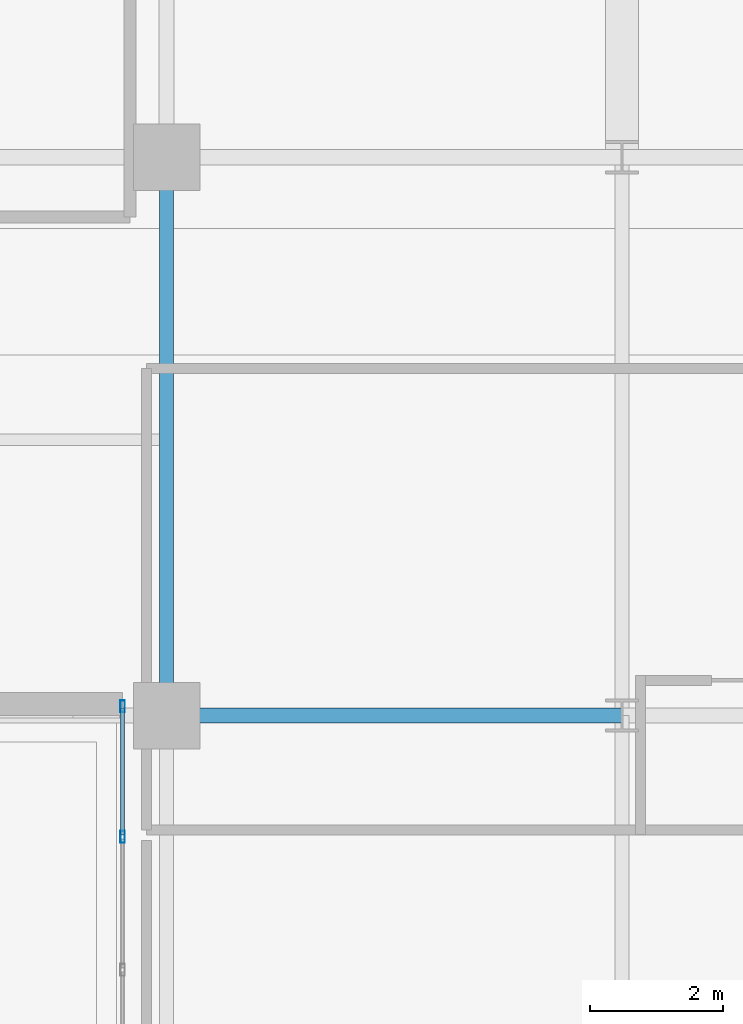
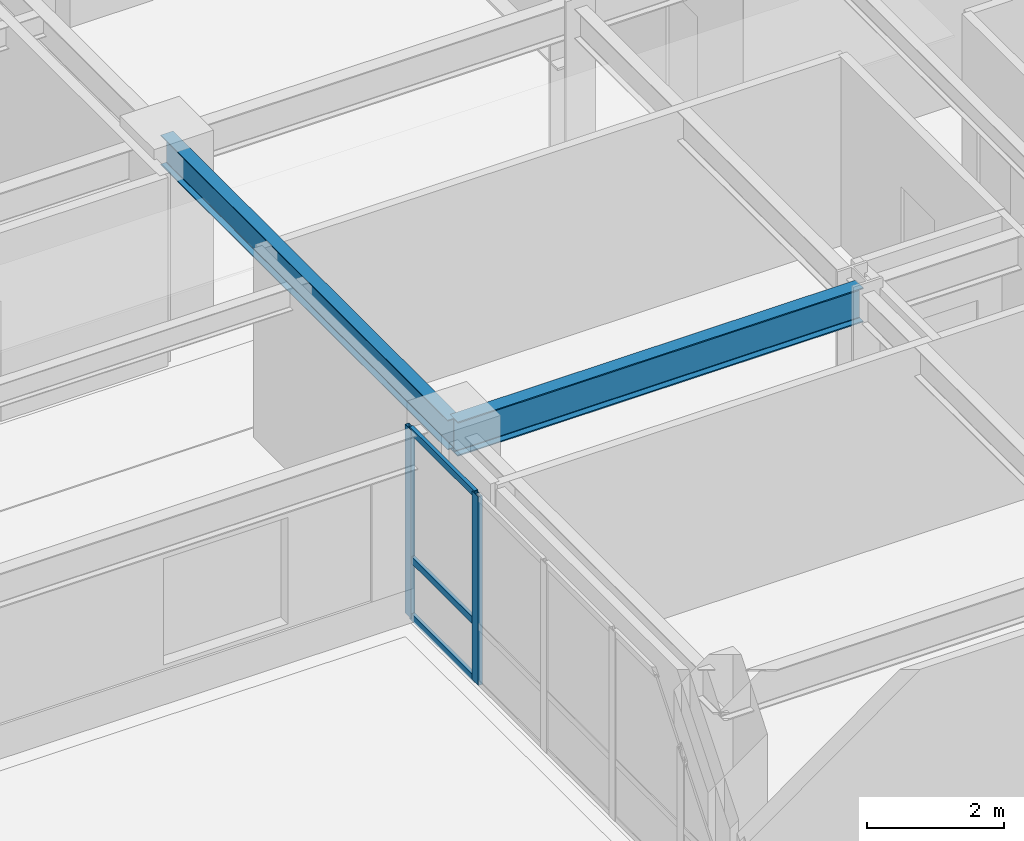
# One storey, part 10 of 25: 5 members, 2 beams, 1 element without a shape of its own.
"""IFC4 building model written with IfcOpenShell, lengths in metres."""

from ifc_helpers import new_model, si_unit, direction, frame, origin, origin_2d, place, context, subcontext, project, spatial, hollow_rectangle, i_section, extrude, source, transform, mapped, material, layer, layer_set, material_profile, profile_set, type_object, type_shapes, element, aggregate, save


model = new_model("IFC4")

# Units and contexts
model_context = context("Model", 3, precision=1e-05, world=origin(), true_north=direction((0.0, 1.0)))
body_context = subcontext(model_context, "Body", "Model", "MODEL_VIEW")
ifc_project = project(units=[si_unit("LENGTHUNIT", "METRE"), si_unit("AREAUNIT", "SQUARE_METRE"), si_unit("VOLUMEUNIT", "CUBIC_METRE"), si_unit("PLANEANGLEUNIT", "RADIAN"), si_unit("MASSUNIT", "GRAM", prefix="KILO")], contexts=[model_context])

# Site, building, storey
site_placement = place(None, origin())
site = spatial("IfcSite", under=ifc_project, at=site_placement, CompositionType="ELEMENT")
building_placement = place(site_placement, origin())
building = spatial("IfcBuilding", under=site, at=building_placement, Name="Tolvann Quenvar Hotel", CompositionType="ELEMENT")
storey_placement = place(building_placement, frame((0.0, 0.0, 32.0)))
storey = spatial("IfcBuildingStorey", under=building, at=storey_placement, Name="L06", CompositionType="ELEMENT", Elevation=32.0)

# Beams
ifc_material_1 = material(Name="Steel Grade 350", Category="steel")
ifc_material_profile_1 = material_profile(ifc_material_1, i_section(OverallWidth=0.22900390625, OverallDepth=0.612060546875, WebThickness=0.011962890625, FlangeThickness=0.01953125, FilletRadius=0.013916015625, at=origin_2d()), Name="610UB125")
ifc_profile_set_1 = profile_set([ifc_material_profile_1], Name="Steel Grade 350")
beam_type_1 = type_object("IfcBeamType", Name="BM_GIRD_610UB125", PredefinedType="BEAM", material=ifc_profile_set_1)
shared_shape_1 = source(origin(), body_context, "Body", "SweptSolid", [
    extrude(i_section(OverallWidth=0.22900390625, OverallDepth=0.612060546875, WebThickness=0.011962890625, FlangeThickness=0.01953125, FilletRadius=0.013916015625, at=origin_2d()), origin(), (0.0, 0.0, 1.0), 6.85009765625),
])
type_shapes(beam_type_1, [shared_shape_1])
beam_1_placement = place(storey_placement, frame((34.949951171875, 16.0, 3.06396484375), z_axis=(1.0, 0.0, 0.0), x_axis=(0.0, 1.0, 0.0)))
element("IfcBeam", 1, at=beam_1_placement, inside=storey, type_object=beam_type_1, Name="BM-L06-EW-4-F4-H4", PredefinedType="BEAM", context=body_context, shape_type="MappedRepresentation", body=[
    mapped(shared_shape_1, transform((0.0, 0.0, 0.0), x_axis=(1.0, 0.0, 0.0), y_axis=(0.0, 1.0, 0.0), z_axis=(0.0, 0.0, 1.0), scale=1.0)),
])
ifc_material_profile_2 = material_profile(ifc_material_1, i_section(OverallWidth=0.208984375, OverallDepth=0.532958984375, WebThickness=0.01025390625, FlangeThickness=0.015625, FilletRadius=0.013916015625, at=origin_2d()), Name="530UB92")
ifc_profile_set_2 = profile_set([ifc_material_profile_2], Name="Steel Grade 350")
beam_type_2 = type_object("IfcBeamType", Name="BM_GIRD_530UB92", PredefinedType="BEAM", material=ifc_profile_set_2)
shared_shape_2 = source(origin(), body_context, "Body", "SweptSolid", [
    extrude(i_section(OverallWidth=0.208984375, OverallDepth=0.532958984375, WebThickness=0.01025390625, FlangeThickness=0.015625, FilletRadius=0.013916015625, at=origin_2d()), origin(), (0.0, 0.0, 1.0), 8.39990234375),
])
type_shapes(beam_type_2, [shared_shape_2])
beam_2_placement = place(storey_placement, frame((34.949951171875, 16.0, 3.103515625), z_axis=(0.0, 1.0, 0.0), x_axis=(-1.0, 0.0, 0.0)))
element("IfcBeam", 2, at=beam_2_placement, inside=storey, type_object=beam_type_2, Name="BM-L06-NS-F4-F5", PredefinedType="BEAM", context=body_context, shape_type="MappedRepresentation", body=[
    mapped(shared_shape_2, transform((0.0, 0.0, 0.0), x_axis=(1.0, 0.0, 0.0), y_axis=(0.0, 1.0, 0.0), z_axis=(0.0, 0.0, 1.0), scale=1.0)),
])

# Curtain wall, members
ifc_material_2 = material(Name="Thermally broken anodised architectural aluminium 6063-T6 and laminated low-E glass", Category="aluminium")
ifc_layer = layer(ifc_material_2, 0.179931640625)
ifc_layer_set = layer_set([ifc_layer], Name="Thermally broken anodised architectural aluminium 6063-T6 and laminated low-E glass")
curtain_wall_type = type_object("IfcCurtainWallType", Name="CW_SYS_SLOT_03", PredefinedType="USERDEFINED", material=ifc_layer_set)
curtain_wall_placement = place(storey_placement, origin())
curtain_wall = element("IfcCurtainWall", 3, at=curtain_wall_placement, inside=storey, type_object=curtain_wall_type, Name="Curtain Wall CW-SLOT-03 (CWR-L06-E07)", ObjectType="UNITISED CURTAIN WALL", PredefinedType="USERDEFINED")
ifc_material_3 = material(Name="Anodised architectural aluminium 6063-T6 framing", Category="aluminium")
ifc_material_profile_3 = material_profile(ifc_material_3, hollow_rectangle(XDim=0.070068359375, YDim=0.179931640625, WallThickness=0.00390625, at=origin_2d()), Name="180x70x4RHS")
ifc_profile_set_3 = profile_set([ifc_material_profile_3], Name="Anodised architectural aluminium 6063-T6 framing")
member_type_1 = type_object("IfcMemberType", Name="CW_MULL_180x70", PredefinedType="MULLION", material=ifc_profile_set_3)
shared_shape_3 = source(origin(), body_context, "Body", "SweptSolid", [
    extrude(hollow_rectangle(XDim=0.070068359375, YDim=0.179931640625, WallThickness=0.00390625, at=origin_2d()), origin(), (0.0, 0.0, 1.0), 3.3701171875),
])
type_shapes(member_type_1, [shared_shape_3])
member_1_placement = place(storey_placement, frame((34.2900390625, 16.139892578125, 0.0), z_axis=(0.0, 0.0, 1.0), x_axis=(1.0, 0.0, 0.0)))
member_1 = element("IfcMember", 4, at=member_1_placement, type_object=member_type_1, Name="CW-SLOT-03 mullion 1", PredefinedType="MULLION", context=body_context, shape_type="MappedRepresentation", body=[
    mapped(shared_shape_3, transform((0.0, 0.0, 0.0), x_axis=(1.0, 0.0, 0.0), y_axis=(0.0, 1.0, 0.0), z_axis=(0.0, 0.0, 1.0), scale=1.0)),
])
member_2_placement = place(storey_placement, frame((34.2900390625, 14.175048828125, 0.0), z_axis=(0.0, 0.0, 1.0), x_axis=(1.0, 0.0, 0.0)))
member_2 = element("IfcMember", 5, at=member_2_placement, type_object=member_type_1, Name="CW-SLOT-03 mullion 2", PredefinedType="MULLION", context=body_context, shape_type="MappedRepresentation", body=[
    mapped(shared_shape_3, transform((0.0, 0.0, 0.0), x_axis=(1.0, 0.0, 0.0), y_axis=(0.0, 1.0, 0.0), z_axis=(0.0, 0.0, 1.0), scale=1.0)),
])
ifc_material_profile_4 = material_profile(ifc_material_3, hollow_rectangle(XDim=0.06005859375, YDim=0.1201171875, WallThickness=0.00341796875, at=origin_2d()), Name="120x60x3.5RHS")
ifc_profile_set_4 = profile_set([ifc_material_profile_4], Name="Anodised architectural aluminium 6063-T6 framing")
member_type_2 = type_object("IfcMemberType", Name="CW_TRAN_120x60", PredefinedType="USERDEFINED", material=ifc_profile_set_4)
shared_shape_4 = source(origin(), body_context, "Body", "SweptSolid", [
    extrude(hollow_rectangle(XDim=0.06005859375, YDim=0.1201171875, WallThickness=0.00341796875, at=origin_2d()), origin(), (0.0, 0.0, 1.0), 1.89501953125),
])
type_shapes(member_type_2, [shared_shape_4])
member_3_placement = place(storey_placement, frame((34.2900390625, 16.10498046875, 0.030029296875), z_axis=(0.0, -1.0, 0.0), x_axis=(1.0, 0.0, 0.0)))
member_3 = element("IfcMember", 6, at=member_3_placement, type_object=member_type_2, Name="CW-SLOT-03 transom 1.1", ObjectType="TRANSOM", PredefinedType="USERDEFINED", context=body_context, shape_type="MappedRepresentation", body=[
    mapped(shared_shape_4, transform((0.0, 0.0, 0.0), x_axis=(1.0, 0.0, 0.0), y_axis=(0.0, 1.0, 0.0), z_axis=(0.0, 0.0, 1.0), scale=1.0)),
])
member_4_placement = place(storey_placement, frame((34.2900390625, 16.10498046875, 1.050048828125), z_axis=(0.0, -1.0, 0.0), x_axis=(1.0, 0.0, 0.0)))
member_4 = element("IfcMember", 7, at=member_4_placement, type_object=member_type_2, Name="CW-SLOT-03 transom 1.2", ObjectType="TRANSOM", PredefinedType="USERDEFINED", context=body_context, shape_type="MappedRepresentation", body=[
    mapped(shared_shape_4, transform((0.0, 0.0, 0.0), x_axis=(1.0, 0.0, 0.0), y_axis=(0.0, 1.0, 0.0), z_axis=(0.0, 0.0, 1.0), scale=1.0)),
])
member_5_placement = place(storey_placement, frame((34.2900390625, 16.10498046875, 3.340087890625), z_axis=(0.0, -1.0, 0.0), x_axis=(1.0, 0.0, 0.0)))
member_5 = element("IfcMember", 8, at=member_5_placement, type_object=member_type_2, Name="CW-SLOT-03 transom 1.3", ObjectType="TRANSOM", PredefinedType="USERDEFINED", context=body_context, shape_type="MappedRepresentation", body=[
    mapped(shared_shape_4, transform((0.0, 0.0, 0.0), x_axis=(1.0, 0.0, 0.0), y_axis=(0.0, 1.0, 0.0), z_axis=(0.0, 0.0, 1.0), scale=1.0)),
])
aggregate(curtain_wall, [member_1, member_2, member_3, member_4, member_5])

save(model, "model.ifc")
